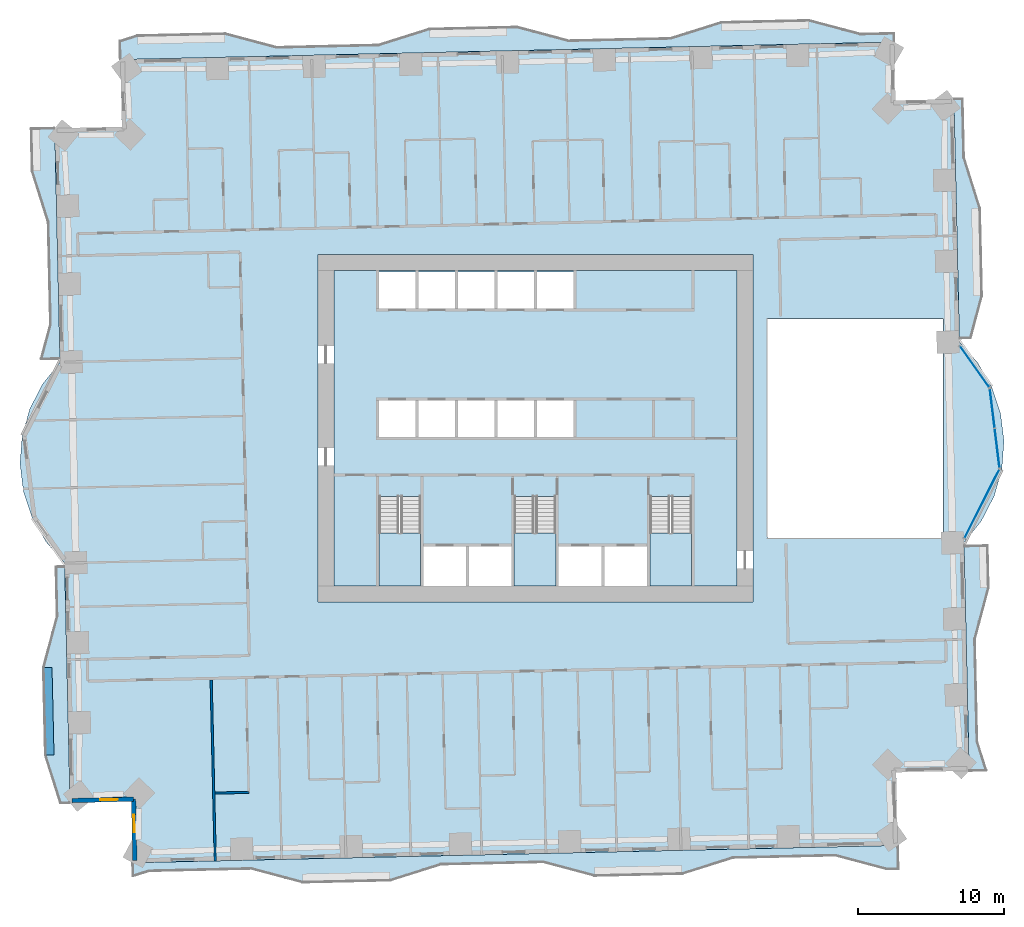
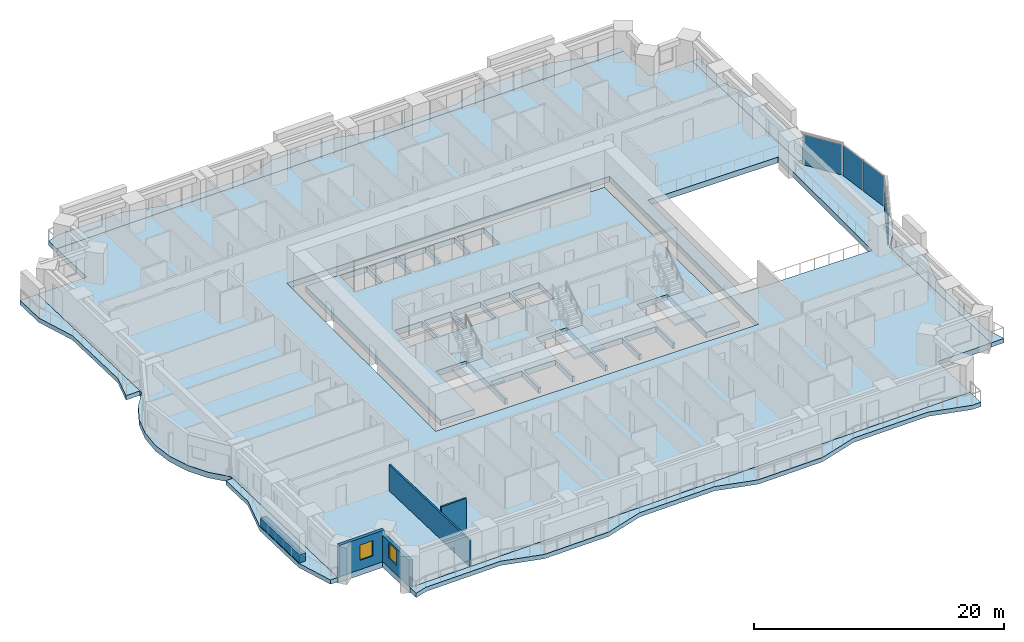
# One storey, part 4 of 16: 11 slabs, 5 walls, 4 plates, 2 windows, 2 openings, 6 elements without a shape of their own.
"""IFC4 building model written with IfcOpenShell, lengths in metres."""

from ifc_helpers import new_model, si_unit, direction, frame, frame_2d, origin, origin_2d, place, context, subcontext, project, spatial, polyline, rectangle, outline, extrude, material, layer, layer_set, type_object, element, fill, aggregate, save


model = new_model("IFC4")

# Units and contexts
model_context = context("Model", 3, precision=1e-05, world=origin(), true_north=direction((0.0, 1.0)))
body_context = subcontext(model_context, "Body", "Model", "MODEL_VIEW")
ifc_project = project(units=[si_unit("LENGTHUNIT", "METRE"), si_unit("AREAUNIT", "SQUARE_METRE"), si_unit("VOLUMEUNIT", "CUBIC_METRE"), si_unit("PLANEANGLEUNIT", "RADIAN"), si_unit("MASSUNIT", "GRAM", prefix="KILO")], contexts=[model_context])

# Site, building, storey
site_placement = place(None, origin())
site = spatial("IfcSite", under=ifc_project, at=site_placement, CompositionType="ELEMENT")
building_placement = place(site_placement, origin())
building = spatial("IfcBuilding", under=site, at=building_placement, Name="Mangrove Gate Tower", CompositionType="ELEMENT")
storey_placement = place(building_placement, frame((0.0, 0.0, 37.699951171875)))
storey = spatial("IfcBuildingStorey", under=building, at=storey_placement, Name="L08", CompositionType="ELEMENT", Elevation=37.699951171875)

# Curtain wall, plate
ifc_material_1 = material(Name="Aluminium and glass curtain wall", Category="aluminium")
curtain_wall_type = type_object("IfcCurtainWallType", Name="Atrium garden-court glazing wall", PredefinedType="NOTDEFINED", material=ifc_material_1)
curtain_wall_1_placement = place(storey_placement, origin())
curtain_wall_1 = element("IfcCurtainWall", 1, at=curtain_wall_1_placement, inside=storey, type_object=curtain_wall_type, Name="Atrium garden-court glazing E1f1", PredefinedType="NOTDEFINED")
ifc_material_2 = material(Name="Laminated low-e glass", Category="glass")
ifc_layer_1 = layer(ifc_material_2, 0.031982421875)
ifc_layer_set_1 = layer_set([ifc_layer_1], Name="Atrium garden-court glazing panel 32")
plate_type = type_object("IfcPlateType", Name="Atrium garden-court glazing panel 32", PredefinedType="CURTAIN_PANEL", material=ifc_layer_set_1)
plate_1_placement = place(storey_placement, frame((30.573974609375, -5.1728515625, 0.0), z_axis=(0.0, 0.0, 1.0), x_axis=(0.452600233136, 0.89171353526, 0.0)))
plate_1 = element("IfcPlate", 2, at=plate_1_placement, type_object=plate_type, Name="CWA panel 1.1", PredefinedType="CURTAIN_PANEL", context=body_context, shape_type="SweptSolid", body=[
    extrude(rectangle(XDim=5.258056640625, YDim=0.031982421875, at=origin_2d()), origin(), (0.0, 0.0, 1.0), 2.97998046875),
])
aggregate(curtain_wall_1, [plate_1])

# Curtain wall, plates
curtain_wall_2_placement = place(storey_placement, origin())
curtain_wall_2 = element("IfcCurtainWall", 3, at=curtain_wall_2_placement, inside=storey, type_object=curtain_wall_type, Name="Atrium garden-court glazing E1f2", PredefinedType="NOTDEFINED")
plate_2_placement = place(storey_placement, frame((31.623291015625, -1.36572265625, 0.0), z_axis=(0.0, 0.0, 1.0), x_axis=(-0.122172285885, 0.992508908051, 0.0)))
plate_2 = element("IfcPlate", 4, at=plate_2_placement, type_object=plate_type, Name="CWA panel 1.1", PredefinedType="CURTAIN_PANEL", context=body_context, shape_type="SweptSolid", body=[
    extrude(rectangle(XDim=2.681640625, YDim=0.031982421875, at=origin_2d()), origin(), (0.0, 0.0, 1.0), 2.97998046875),
])
plate_3_placement = place(storey_placement, frame((31.287109375, 1.365478515625, 0.0), z_axis=(0.0, 0.0, 1.0), x_axis=(-0.122172285885, 0.992508908051, 0.0)))
plate_3 = element("IfcPlate", 5, at=plate_3_placement, type_object=plate_type, Name="CWA panel 2.1", PredefinedType="CURTAIN_PANEL", context=body_context, shape_type="SweptSolid", body=[
    extrude(rectangle(XDim=2.681640625, YDim=0.031982421875, at=origin_2d()), origin(), (0.0, 0.0, 1.0), 2.97998046875),
])
aggregate(curtain_wall_2, [plate_2, plate_3])

# Curtain wall, plate
curtain_wall_3_placement = place(storey_placement, origin())
curtain_wall_3 = element("IfcCurtainWall", 6, at=curtain_wall_3_placement, inside=storey, type_object=curtain_wall_type, Name="Atrium garden-court glazing E1f3", PredefinedType="NOTDEFINED")
plate_4_placement = place(storey_placement, frame((30.0830078125, 4.2216796875, 0.0), z_axis=(0.0, 0.0, 1.0), x_axis=(-0.578122631637, 0.815949889877, 0.0)))
plate_4 = element("IfcPlate", 7, at=plate_4_placement, type_object=plate_type, Name="CWA panel 1.1", PredefinedType="CURTAIN_PANEL", context=body_context, shape_type="SweptSolid", body=[
    extrude(rectangle(XDim=3.4287109375, YDim=0.031982421875, at=origin_2d()), origin(), (0.0, 0.0, 1.0), 2.97998046875),
])
aggregate(curtain_wall_3, [plate_4])

# Slabs
ifc_material_3 = material(Name="Porcelain tile")
ifc_layer_2 = layer(ifc_material_3, 0.02001953125, Name="Tile finish")
ifc_material_4 = material(Name="Cement sand screed")
ifc_layer_3 = layer(ifc_material_4, 0.0400390625, Name="Screed laid to falls")
ifc_material_5 = material(Name="Bituminous waterproofing membrane")
ifc_layer_4 = layer(ifc_material_5, 0.00390625, Name="Waterproofing")
ifc_material_6 = material(Name="Concrete C40/50", Category="concrete")
ifc_layer_5 = layer(ifc_material_6, 0.340087890625, Name="Balcony structural slab")
ifc_material_7 = material(Name="Limestone", Category="masonry")
ifc_layer_6 = layer(ifc_material_7, 0.01611328125, Name="Soffit lining")
ifc_layer_set_2 = layer_set([ifc_layer_2, ifc_layer_3, ifc_layer_4, ifc_layer_5, ifc_layer_6], Name="Balcony slab 420 C40/50")
slab_type_1 = type_object("IfcSlabType", Name="Balcony slab 420 C40/50", PredefinedType="FLOOR", material=ifc_layer_set_2)
slab_1_placement = place(storey_placement, frame((0.0, 0.0, -0.419921875)))
element("IfcSlab", 8, at=slab_1_placement, inside=storey, type_object=slab_type_1, Name="BALCONY L08 E0", PredefinedType="FLOOR", context=body_context, shape_type="SweptSolid", body=[
    extrude(outline(polyline([(30.910888671875, -23.41796875), (30.283935546875, -21.431884765625), (30.125, -14.43408203125), (31.06298828125, -10.910888671875), (30.998046875, -8.037109375), (29.35400390625, -8.074951171875), (29.4189453125, -10.948974609375), (29.498046875, -14.447998046875), (29.656982421875, -21.446044921875), (29.702880859375, -23.445068359375), (30.910888671875, -23.41796875)])), origin(), (0.0, 0.0, 1.0), 0.419921875),
])
slab_2_placement = place(storey_placement, frame((0.0, 0.0, -0.419921875)))
element("IfcSlab", 9, at=slab_2_placement, inside=storey, type_object=slab_type_1, Name="BALCONY L08 E1", PredefinedType="FLOOR", context=body_context, shape_type="SweptSolid", body=[
    extrude(outline(polyline([(29.839111328125, 6.19091796875), (30.60888671875, 9.083984375), (30.472900390625, 15.08203125), (29.376953125, 18.55810546875), (29.285888671875, 22.556884765625), (28.658935546875, 22.54296875), (28.75, 18.5439453125), (28.8291015625, 15.044921875), (28.965087890625, 9.0458984375), (29.030029296875, 6.172119140625), (29.839111328125, 6.19091796875)])), origin(), (0.0, 0.0, 1.0), 0.419921875),
])
slab_3_placement = place(storey_placement, frame((0.0, 0.0, -0.419921875)))
element("IfcSlab", 10, at=slab_3_placement, inside=storey, type_object=slab_type_1, Name="BALCONY L08 N0", PredefinedType="FLOOR", context=body_context, shape_type="SweptSolid", body=[
    extrude(outline(polyline([(24.554931640625, 27.077880859375), (22.256103515625, 27.02587890625), (18.73291015625, 27.962890625), (12.735107421875, 27.826904296875), (9.259033203125, 26.73095703125), (2.260986328125, 26.572021484375), (-1.260986328125, 27.510009765625), (-7.260009765625, 27.3740234375), (-10.736083984375, 26.277099609375), (-17.73388671875, 26.118896484375), (-21.256103515625, 27.055908203125), (-27.2548828125, 26.919921875), (-28.447021484375, 26.5439453125), (-28.4169921875, 25.2490234375), (-7.222900390625, 25.72900390625), (-1.22412109375, 25.865966796875), (24.569091796875, 26.450927734375), (24.554931640625, 27.077880859375)])), origin(), (0.0, 0.0, 1.0), 0.419921875),
])
slab_4_placement = place(storey_placement, frame((0.0, 0.0, -0.419921875)))
element("IfcSlab", 11, at=slab_4_placement, inside=storey, type_object=slab_type_1, Name="BALCONY L08 W0", PredefinedType="FLOOR", context=body_context, shape_type="SweptSolid", body=[
    extrude(outline(polyline([(-34.555908203125, 20.508056640625), (-34.489990234375, 17.60888671875), (-33.39306640625, 14.133056640625), (-33.23388671875, 7.135009765625), (-33.87109375, 4.7451171875), (-32.553955078125, 4.77490234375), (-32.60791015625, 7.14892578125), (-32.76611328125, 14.14697265625), (-32.845947265625, 17.64599609375), (-32.912109375, 20.544921875), (-34.555908203125, 20.508056640625)])), origin(), (0.0, 0.0, 1.0), 0.419921875),
])
slab_5_placement = place(storey_placement, frame((0.0, 0.0, -0.419921875)))
element("IfcSlab", 12, at=slab_5_placement, inside=storey, type_object=slab_type_1, Name="BALCONY L08 W1", PredefinedType="FLOOR", context=body_context, shape_type="SweptSolid", body=[
    extrude(outline(polyline([(-32.85693359375, -9.486083984375), (-32.781005859375, -12.860107421875), (-33.718994140625, -16.382080078125), (-33.58203125, -22.381103515625), (-32.548095703125, -25.657958984375), (-31.863037109375, -25.64306640625), (-31.93798828125, -22.343994140625), (-32.073974609375, -16.344970703125), (-32.154052734375, -12.845947265625), (-32.22998046875, -9.471923828125), (-32.85693359375, -9.486083984375)])), origin(), (0.0, 0.0, 1.0), 0.419921875),
])
slab_6_placement = place(storey_placement, frame((0.0, 0.0, -0.419921875)))
element("IfcSlab", 13, at=slab_6_placement, inside=storey, type_object=slab_type_1, Name="BALCONY L08 S0", PredefinedType="FLOOR", context=body_context, shape_type="SweptSolid", body=[
    extrude(outline(polyline([(-27.548095703125, -30.693115234375), (-26.455078125, -30.347900390625), (-19.45703125, -30.18896484375), (-15.93505859375, -31.126953125), (-9.93603515625, -30.990966796875), (-6.4599609375, -29.89501953125), (0.5380859375, -29.737060546875), (4.06005859375, -30.674072265625), (10.05810546875, -30.537109375), (13.533935546875, -29.44091796875), (20.532958984375, -29.282958984375), (24.054931640625, -30.219970703125), (24.85498046875, -30.201904296875), (24.81689453125, -28.55810546875), (-27.569091796875, -29.74609375), (-27.548095703125, -30.693115234375)])), origin(), (0.0, 0.0, 1.0), 0.419921875),
])
ifc_material_8 = material(Name="Concrete C40/50", Category="concrete")
ifc_layer_7 = layer(ifc_material_8, 0.550048828125)
ifc_layer_set_3 = layer_set([ifc_layer_7], Name="Core floor slab 550 C40/50")
slab_type_2 = type_object("IfcSlabType", Name="Core floor slab 550 C40/50", PredefinedType="FLOOR", material=ifc_layer_set_3)
slab_7_placement = place(storey_placement, frame((0.0, 0.0, -0.550048828125)))
element("IfcSlab", 14, at=slab_7_placement, inside=storey, type_object=slab_type_2, Name="SLAB-L08-CORE-1", PredefinedType="FLOOR", context=body_context, shape_type="SweptSolid", body=[
    extrude(outline(polyline([(-13.800048828125, -10.800048828125), (-13.800048828125, 10.800048828125), (13.800048828125, 10.800048828125), (13.800048828125, -10.800048828125), (10.699951171875, -10.800048828125), (10.699951171875, -4.653076171875), (7.85009765625, -4.653076171875), (7.85009765625, -10.800048828125), (7.64990234375, -10.800048828125), (7.64990234375, -8.10009765625), (4.72509765625, -8.10009765625), (4.72509765625, -10.800048828125), (4.52490234375, -10.800048828125), (4.52490234375, -8.10009765625), (1.60009765625, -8.10009765625), (1.60009765625, -10.800048828125), (1.39990234375, -10.800048828125), (1.39990234375, -4.653076171875), (-1.449951171875, -4.653076171875), (-1.449951171875, -10.800048828125), (-1.64990234375, -10.800048828125), (-1.64990234375, -8.10009765625), (-4.550048828125, -8.10009765625), (-4.550048828125, -10.800048828125), (-4.75, -10.800048828125), (-4.75, -8.10009765625), (-7.64990234375, -8.10009765625), (-7.64990234375, -10.800048828125), (-7.85009765625, -10.800048828125), (-7.85009765625, -4.653076171875), (-10.699951171875, -4.653076171875), (-10.699951171875, -10.800048828125), (-13.800048828125, -10.800048828125)]), holes=[polyline([(-8.199951171875, -0.60009765625), (-8.199951171875, 1.89990234375), (-10.699951171875, 1.89990234375), (-10.699951171875, -0.60009765625), (-8.199951171875, -0.60009765625)]), polyline([(-5.5, -0.60009765625), (-5.5, 1.89990234375), (-8.0, 1.89990234375), (-8.0, -0.60009765625), (-5.5, -0.60009765625)]), polyline([(-2.800048828125, -0.60009765625), (-2.800048828125, 1.89990234375), (-5.300048828125, 1.89990234375), (-5.300048828125, -0.60009765625), (-2.800048828125, -0.60009765625)]), polyline([(-8.199951171875, 8.199951171875), (-8.199951171875, 10.699951171875), (-10.699951171875, 10.699951171875), (-10.699951171875, 8.199951171875), (-8.199951171875, 8.199951171875)]), polyline([(-5.5, 8.199951171875), (-5.5, 10.699951171875), (-8.0, 10.699951171875), (-8.0, 8.199951171875), (-5.5, 8.199951171875)]), polyline([(-2.800048828125, 8.199951171875), (-2.800048828125, 10.699951171875), (-5.300048828125, 10.699951171875), (-5.300048828125, 8.199951171875), (-2.800048828125, 8.199951171875)]), polyline([(-0.10009765625, -0.60009765625), (-0.10009765625, 1.89990234375), (-2.60009765625, 1.89990234375), (-2.60009765625, -0.60009765625), (-0.10009765625, -0.60009765625)]), polyline([(2.60009765625, -0.60009765625), (2.60009765625, 1.89990234375), (0.10009765625, 1.89990234375), (0.10009765625, -0.60009765625), (2.60009765625, -0.60009765625)]), polyline([(-2.60009765625, 8.199951171875), (-0.10009765625, 8.199951171875), (-0.10009765625, 10.699951171875), (-2.60009765625, 10.699951171875), (-2.60009765625, 8.199951171875)]), polyline([(0.10009765625, 8.199951171875), (2.60009765625, 8.199951171875), (2.60009765625, 10.699951171875), (0.10009765625, 10.699951171875), (0.10009765625, 8.199951171875)])]), origin(), (0.0, 0.0, 1.0), 0.550048828125),
])

# Stair, slab
ifc_material_9 = material(Name="Concrete C40/50", Category="concrete")
stair_type = type_object("IfcStairType", Name="Core stair 1350", PredefinedType="HALF_TURN_STAIR", material=ifc_material_9)
stair_1_placement = place(storey_placement, origin())
stair_1 = element("IfcStair", 15, at=stair_1_placement, inside=storey, type_object=stair_type, Name="L08 Stair 1", PredefinedType="HALF_TURN_STAIR")
ifc_material_10 = material(Name="Concrete C40/50", Category="concrete")
ifc_layer_8 = layer(ifc_material_10, 0.199951171875)
ifc_layer_set_4 = layer_set([ifc_layer_8], Name="Core stair landing 200")
slab_type_3 = type_object("IfcSlabType", Name="Core stair landing 200", PredefinedType="LANDING", material=ifc_layer_set_4)
slab_8_placement = place(storey_placement, frame((0.0, 0.0, 1.60009765625)))
slab_8 = element("IfcSlab", 16, at=slab_8_placement, type_object=slab_type_3, Name="ST1 landing 1", PredefinedType="LANDING", context=body_context, shape_type="SweptSolid", body=[
    extrude(outline(polyline([(-10.699951171875, -7.169921875), (-10.699951171875, -10.800048828125), (-7.85009765625, -10.800048828125), (-7.85009765625, -7.169921875), (-10.699951171875, -7.169921875)])), origin(), (0.0, 0.0, 1.0), 0.199951171875),
])
aggregate(stair_1, [slab_8])

stair_2_placement = place(storey_placement, origin())
stair_2 = element("IfcStair", 17, at=stair_2_placement, inside=storey, type_object=stair_type, Name="L08 Stair 2", PredefinedType="HALF_TURN_STAIR")
slab_9_placement = place(storey_placement, frame((0.0, 0.0, 1.60009765625)))
slab_9 = element("IfcSlab", 18, at=slab_9_placement, type_object=slab_type_3, Name="ST2 landing 1", PredefinedType="LANDING", context=body_context, shape_type="SweptSolid", body=[
    extrude(outline(polyline([(-1.449951171875, -7.169921875), (-1.449951171875, -10.800048828125), (1.39990234375, -10.800048828125), (1.39990234375, -7.169921875), (-1.449951171875, -7.169921875)])), origin(), (0.0, 0.0, 1.0), 0.199951171875),
])
aggregate(stair_2, [slab_9])

stair_3_placement = place(storey_placement, origin())
stair_3 = element("IfcStair", 19, at=stair_3_placement, inside=storey, type_object=stair_type, Name="L08 Stair 3", PredefinedType="HALF_TURN_STAIR")
slab_10_placement = place(storey_placement, frame((0.0, 0.0, 1.60009765625)))
slab_10 = element("IfcSlab", 20, at=slab_10_placement, type_object=slab_type_3, Name="ST3 landing 1", PredefinedType="LANDING", context=body_context, shape_type="SweptSolid", body=[
    extrude(outline(polyline([(7.85009765625, -7.169921875), (7.85009765625, -10.800048828125), (10.699951171875, -10.800048828125), (10.699951171875, -7.169921875), (7.85009765625, -7.169921875)])), origin(), (0.0, 0.0, 1.0), 0.199951171875),
])
aggregate(stair_3, [slab_10])

# Slab
ifc_material_11 = material(Name="Concrete C40/50", Category="concrete")
ifc_layer_9 = layer(ifc_material_11, 0.550048828125)
ifc_layer_set_5 = layer_set([ifc_layer_9], Name="Floor slab 550 C40/50")
slab_type_4 = type_object("IfcSlabType", Name="Floor slab 550 C40/50", PredefinedType="FLOOR", material=ifc_layer_set_5)
slab_11_placement = place(storey_placement, frame((0.0, 0.0, -0.550048828125)))
element("IfcSlab", 21, at=slab_11_placement, inside=storey, type_object=slab_type_4, Name="Floor slab L08", PredefinedType="FLOOR", context=body_context, shape_type="SweptSolid", body=[
    extrude(outline(polyline([(-27.5693359375, -29.746337890625), (24.8173828125, -28.5576171875), (24.703857421875, -23.558837890625), (29.70263671875, -23.445556640625), (29.34814453125, -7.82470703125), (30.544677734375, -6.33251953125), (31.42138671875, -4.632568359375), (31.944091796875, -2.79248046875), (32.09130859375, -0.885498046875), (31.857666015625, 1.012939453125), (31.252197265625, 2.827392578125), (30.299072265625, 4.48583984375), (29.0361328125, 5.92236328125), (28.658935546875, 22.542724609375), (24.659912109375, 22.451904296875), (24.569091796875, 26.450927734375), (-28.417236328125, 25.24853515625), (-28.312744140625, 20.649658203125), (-32.91162109375, 20.54541015625), (-32.548095703125, 4.524658203125), (-33.74462890625, 3.032470703125), (-34.62158203125, 1.33251953125), (-35.14404296875, -0.507568359375), (-35.291259765625, -2.41455078125), (-35.0576171875, -4.31298828125), (-34.4521484375, -6.12744140625), (-33.4990234375, -7.785888671875), (-32.236083984375, -9.222412109375), (-31.863525390625, -25.642822265625), (-27.66455078125, -25.547607421875), (-27.5693359375, -29.746337890625)]), holes=[polyline([(15.89990234375, 7.5), (27.922119140625, 7.5), (27.922119140625, -7.5), (15.89990234375, -7.5), (15.89990234375, 7.5)]), polyline([(-14.89990234375, -11.89990234375), (-14.89990234375, 11.89990234375), (14.89990234375, 11.89990234375), (14.89990234375, -11.89990234375), (-14.89990234375, -11.89990234375)])]), origin(), (0.0, 0.0, 1.0), 0.550048828125),
])

# Wall, opening, window
ifc_layer_10 = layer(ifc_material_7, 0.0400390625, Name="Limestone cladding")
ifc_material_12 = material(Name="Ventilated air gap")
ifc_layer_11 = layer(ifc_material_12, 0.0400390625, Name="Ventilated cavity")
ifc_material_13 = material(Name="Mineral wool insulation")
ifc_layer_12 = layer(ifc_material_13, 0.06005859375, Name="Insulation")
ifc_material_14 = material(Name="Breather membrane")
ifc_layer_13 = layer(ifc_material_14, 0.001953125, Name="Breather membrane")
ifc_material_15 = material(Name="Concrete C20/25 blockwork", Category="masonry")
ifc_layer_14 = layer(ifc_material_15, 0.14990234375, Name="Blockwork backing wall")
ifc_material_16 = material(Name="Gypsum plaster")
ifc_layer_15 = layer(ifc_material_16, 0.008056640625, Name="Internal plaster")
ifc_layer_set_6 = layer_set([ifc_layer_10, ifc_layer_11, ifc_layer_12, ifc_layer_13, ifc_layer_14, ifc_layer_15], Name="External wall 300 limestone cladding")
wall_type_1 = type_object("IfcWallType", Name="External wall 300 limestone cladding", PredefinedType="SOLIDWALL", material=ifc_layer_set_6)
wall_1_placement = place(storey_placement, frame((-31.717041015625, -25.489013671875, 0.0), z_axis=(0.0, 0.0, 1.0), x_axis=(0.999744320311, 0.022611811187, 0.0)))
wall_1 = element("IfcWall", 22, at=wall_1_placement, inside=storey, type_object=wall_type_1, Name="WALL-L08-S11", PredefinedType="SOLIDWALL", context=body_context, shape_type="SweptSolid", body=[
    extrude(rectangle(XDim=4.199951171875, YDim=0.300048828125, at=frame_2d((2.10009765625, 0.0))), origin(), (0.0, 0.0, 1.0), 3.050048828125),
])
opening_1_placement = place(wall_1_placement, frame((1.927001953125, 0.0, 0.89990234375)))
opening_1 = element("IfcOpeningElement", 23, at=opening_1_placement, cuts=wall_1, Name="Opening W1", PredefinedType="OPENING", context=body_context, shape_type="SweptSolid", body=[
    extrude(rectangle(XDim=1.199951171875, YDim=1.5, at=frame_2d((0.60009765625, 0.75))), frame((0.0, 0.159912109375, 0.0), z_axis=(0.0, -1.0, 0.0), x_axis=(1.0, 0.0, 0.0)), (0.0, 0.0, 1.0), 0.320068359375),
])
ifc_material_17 = material(Name="Aluminium frame with double-glazed low-e glass", Category="aluminium")
window_type = type_object("IfcWindowType", Name="Side lite 1200x1500", PartitioningType="SINGLE_PANEL", PredefinedType="WINDOW", material=ifc_material_17)
window_1_placement = place(opening_1_placement, origin())
window_1 = element("IfcWindow", 24, at=window_1_placement, inside=storey, type_object=window_type, Name="WIN-L08-S11-1", OverallHeight=1.5, OverallWidth=1.199951171875, PartitioningType="SINGLE_PANEL", PredefinedType="WINDOW", context=body_context, shape_type="SweptSolid", body=[
    extrude(rectangle(XDim=1.199951171875, YDim=1.5, at=frame_2d((0.60009765625, 0.75))), frame((0.0, 0.030029296875, 0.0), z_axis=(0.0, -1.0, 0.0), x_axis=(1.0, 0.0, 0.0)), (0.0, 0.0, 1.0), 0.06005859375),
])
fill(opening_1, window_1)

wall_2_placement = place(storey_placement, frame((-27.51806640625, -25.39404296875, 0.0), z_axis=(0.0, 0.0, 1.0), x_axis=(0.022611811187, -0.999744320311, 0.0)))
wall_2 = element("IfcWall", 25, at=wall_2_placement, inside=storey, type_object=wall_type_1, Name="WALL-L08-W12", PredefinedType="SOLIDWALL", context=body_context, shape_type="SweptSolid", body=[
    extrude(rectangle(XDim=4.199951171875, YDim=0.300048828125, at=frame_2d((2.10009765625, 0.0))), origin(), (0.0, 0.0, 1.0), 2.550048828125),
])
opening_2_placement = place(wall_2_placement, frame((1.05810546875, 0.0, 0.89990234375)))
opening_2 = element("IfcOpeningElement", 26, at=opening_2_placement, cuts=wall_2, Name="Opening W1", PredefinedType="OPENING", context=body_context, shape_type="SweptSolid", body=[
    extrude(rectangle(XDim=1.199951171875, YDim=1.5, at=frame_2d((0.60009765625, 0.75))), frame((0.0, 0.159912109375, 0.0), z_axis=(0.0, -1.0, 0.0), x_axis=(1.0, 0.0, 0.0)), (0.0, 0.0, 1.0), 0.320068359375),
])
window_2_placement = place(opening_2_placement, origin())
window_2 = element("IfcWindow", 27, at=window_2_placement, inside=storey, type_object=window_type, Name="WIN-L08-W12-1", OverallHeight=1.5, OverallWidth=1.199951171875, PartitioningType="SINGLE_PANEL", PredefinedType="WINDOW", context=body_context, shape_type="SweptSolid", body=[
    extrude(rectangle(XDim=1.199951171875, YDim=1.5, at=frame_2d((0.60009765625, 0.75))), frame((0.0, 0.030029296875, 0.0), z_axis=(0.0, -1.0, 0.0), x_axis=(1.0, 0.0, 0.0)), (0.0, 0.0, 1.0), 0.06005859375),
])
fill(opening_2, window_2)

# Walls
ifc_material_18 = material(Name="Gypsum board on steel stud, EI 60", Category="steel")
ifc_layer_16 = layer(ifc_material_18, 0.14990234375)
ifc_layer_set_7 = layer_set([ifc_layer_16], Name="Party wall 150 EI 60")
wall_type_2 = type_object("IfcWallType", Name="Party wall 150 EI 60", PredefinedType="PARTITIONING", material=ifc_layer_set_7)
wall_3_placement = place(storey_placement, frame((-21.9208984375, -29.617919921875, 0.0), z_axis=(0.0, 0.0, 1.0), x_axis=(-0.022661475803, 0.999743195783, 0.0)))
element("IfcWall", 28, at=wall_3_placement, inside=storey, type_object=wall_type_2, Name="WALL-L08-001", PredefinedType="PARTITIONING", context=body_context, shape_type="SweptSolid", body=[
    extrude(rectangle(XDim=12.400146484375, YDim=0.14990234375, at=frame_2d((6.2001953125, 0.0))), origin(), (0.0, 0.0, 1.0), 2.550048828125),
])
wall_4_placement = place(storey_placement, frame((-21.950927734375, -24.97802734375, 0.0), z_axis=(0.0, 0.0, 1.0), x_axis=(0.999740260747, 0.02279059109, 0.0)))
element("IfcWall", 29, at=wall_4_placement, inside=storey, type_object=wall_type_2, Name="WALL-L08-017", PredefinedType="PARTITIONING", context=body_context, shape_type="SweptSolid", body=[
    extrude(rectangle(XDim=2.324462890625, YDim=0.14990234375, at=frame_2d((1.162109375, 0.0))), origin(), (0.0, 0.0, 1.0), 3.050048828125),
])
ifc_material_19 = material(Name="Concrete C32/40", Category="concrete")
ifc_layer_17 = layer(ifc_material_19, 0.199951171875, Name="Planter trough wall")
ifc_layer_18 = layer(ifc_material_5, 0.0048828125, Name="Waterproofing")
ifc_material_20 = material(Name="Drainage board and gravel")
ifc_layer_19 = layer(ifc_material_20, 0.044921875, Name="Drainage layer")
ifc_material_21 = material(Name="Planting soil")
ifc_layer_20 = layer(ifc_material_21, 0.300048828125, Name="Growing medium")
ifc_layer_set_8 = layer_set([ifc_layer_17, ifc_layer_18, ifc_layer_19, ifc_layer_20], Name="Planter wall 550 C32/40")
wall_type_3 = type_object("IfcWallType", Name="Planter wall 550 C32/40", PredefinedType="USERDEFINED", material=ifc_layer_set_8)
wall_5_placement = place(storey_placement, frame((-33.237060546875, -22.373046875, 0.0), z_axis=(0.0, 0.0, 1.0), x_axis=(-0.022824916448, 0.999739477659, 0.0)))
element("IfcWall", 30, at=wall_5_placement, inside=storey, type_object=wall_type_3, Name="PLANTER L08 W1.1", ObjectType="PLANTER", PredefinedType="USERDEFINED", context=body_context, shape_type="SweptSolid", body=[
    extrude(rectangle(XDim=6.00048828125, YDim=0.550048828125, at=frame_2d((3.000244140625, 0.0))), origin(), (0.0, 0.0, 1.0), 0.800048828125),
])

save(model, "model.ifc")
